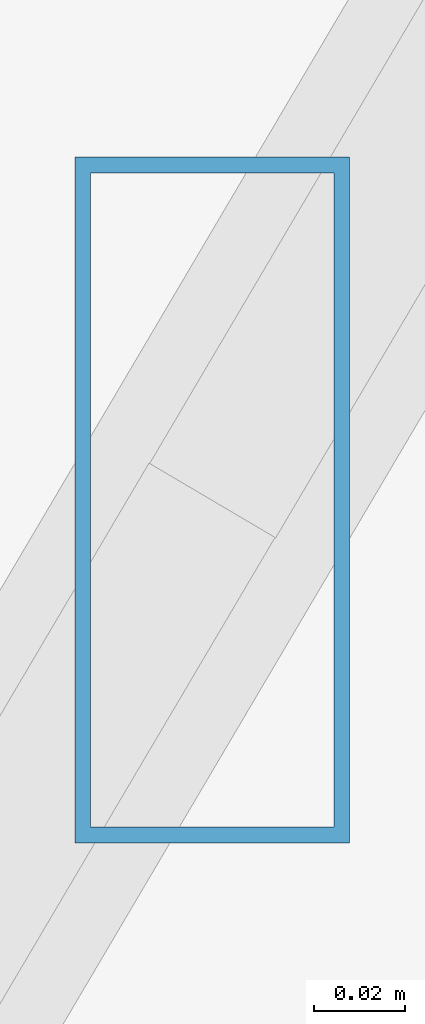
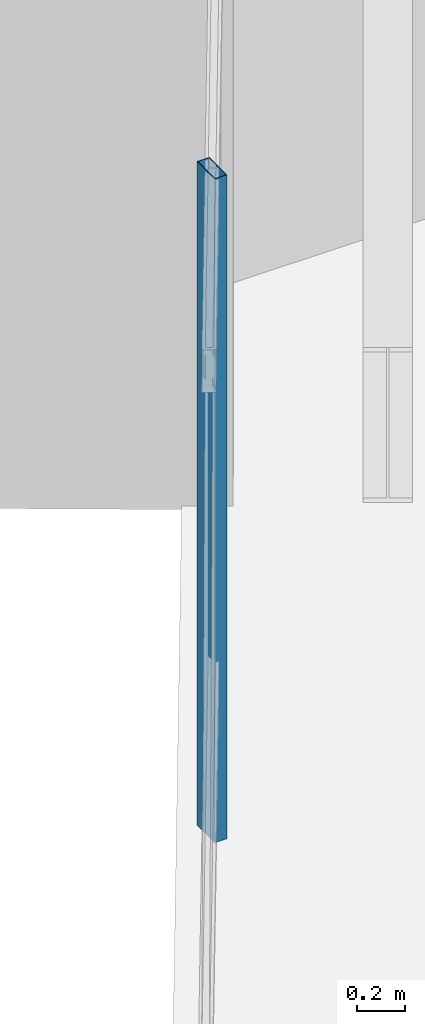
# One storey, part 28 of 41: 1 member, 1 element without a shape of its own.
"""IFC4 building model written with IfcOpenShell, lengths in metres."""

from ifc_helpers import new_model, si_unit, direction, frame, origin, origin_2d, place, context, subcontext, project, spatial, hollow_rectangle, extrude, source, transform, mapped, material, material_profile, profile_set, type_object, type_shapes, element, aggregate, save


model = new_model("IFC4")

# Units and contexts
model_context = context("Model", 3, precision=1e-05, world=origin(), true_north=direction((0.0, 1.0)))
body_context = subcontext(model_context, "Body", "Model", "MODEL_VIEW")
ifc_project = project(units=[si_unit("LENGTHUNIT", "METRE"), si_unit("AREAUNIT", "SQUARE_METRE"), si_unit("VOLUMEUNIT", "CUBIC_METRE"), si_unit("PLANEANGLEUNIT", "RADIAN"), si_unit("MASSUNIT", "GRAM", prefix="KILO")], contexts=[model_context])

# Site, building, storey
site_placement = place(None, origin())
site = spatial("IfcSite", under=ifc_project, at=site_placement, CompositionType="ELEMENT")
building_placement = place(site_placement, origin())
building = spatial("IfcBuilding", under=site, at=building_placement, Name="Caelisora Broadcast Tower", CompositionType="ELEMENT")
storey_placement = place(building_placement, frame((0.0, 0.0, 173.10009765625)))
storey = spatial("IfcBuildingStorey", under=building, at=storey_placement, Name="L45", CompositionType="ELEMENT", Elevation=173.10009765625)

# Curtain wall, member
ifc_material_1 = material(Name="Unitised Aluminium and Low-E Glass Curtain Wall", Category="glass")
curtain_wall_type = type_object("IfcCurtainWallType", Name="CW-Z3", PredefinedType="NOTDEFINED", material=ifc_material_1)
curtain_wall_placement = place(storey_placement, origin())
curtain_wall = element("IfcCurtainWall", 1, at=curtain_wall_placement, inside=storey, type_object=curtain_wall_type, Name="L45 curtain wall CW-Z3", PredefinedType="NOTDEFINED")
ifc_material_2 = material(Name="Aluminium 6063-T6 Anodised Terracotta Bronze", Category="aluminium")
ifc_material_profile = material_profile(ifc_material_2, hollow_rectangle(XDim=0.06005859375, YDim=0.14990234375, WallThickness=0.00341796875, at=origin_2d()), Name="Aluminium 6063-T6 Anodised Terracotta Bronze")
ifc_profile_set = profile_set([ifc_material_profile], Name="Aluminium 6063-T6 Anodised Terracotta Bronze")
member_type = type_object("IfcMemberType", Name="CWM-03", PredefinedType="MULLION", material=ifc_profile_set)
shared_shape = source(origin(), body_context, "Body", "SweptSolid", [
    extrude(hollow_rectangle(XDim=0.06005859375, YDim=0.14990234375, WallThickness=0.00341796875, at=origin_2d()), origin(), (0.0, 0.0, 1.0), 3.39990234375),
])
type_shapes(member_type, [shared_shape])
member_placement = place(storey_placement, frame((28.9736328125, 42.331298828125, 0.0), z_axis=(0.0, 0.0, 1.0), x_axis=(1.0, 0.0, 0.0)))
member = element("IfcMember", 2, at=member_placement, type_object=member_type, Name="L45-CW-B11 mullion #1", PredefinedType="MULLION", context=body_context, shape_type="MappedRepresentation", body=[
    mapped(shared_shape, transform((0.0, 0.0, 0.0), scale=1.0)),
])
aggregate(curtain_wall, [member])

save(model, "model.ifc")
